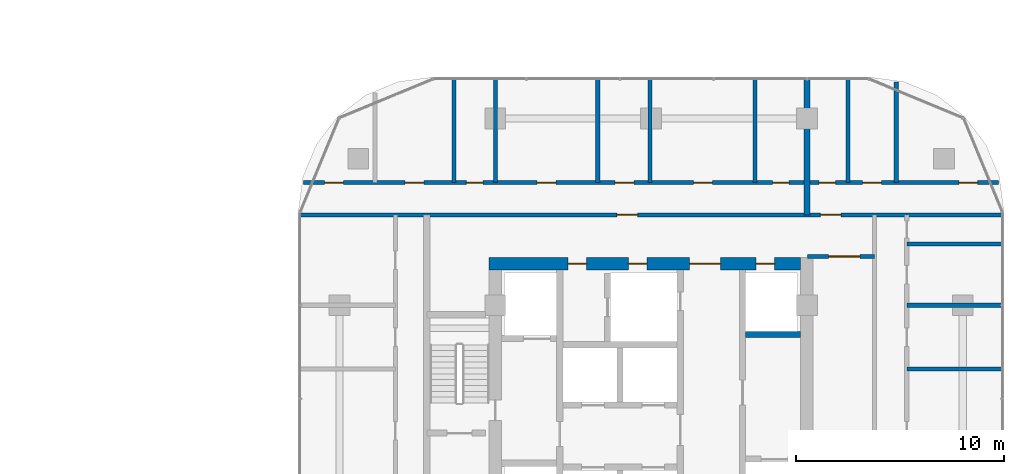
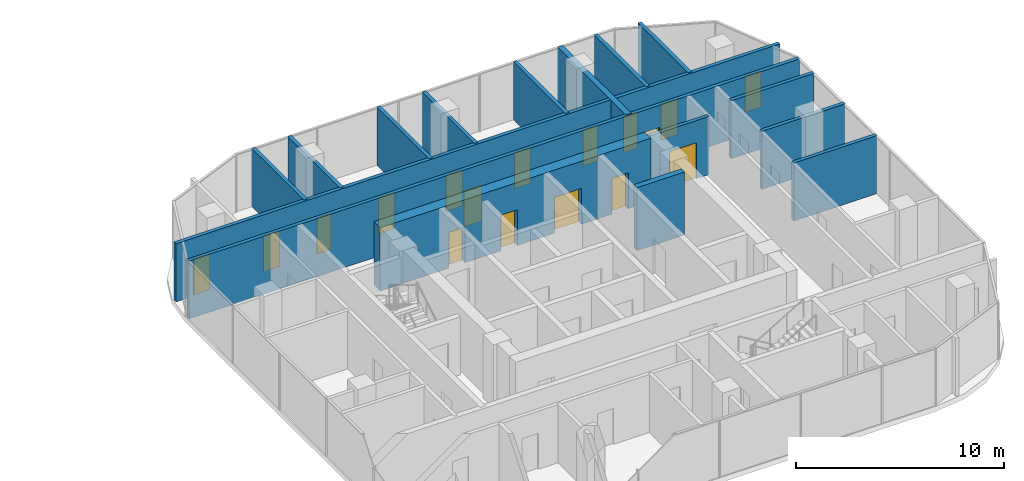
# One storey, part 23 of 32: 17 doors, 16 walls, 17 openings.
"""IFC4 building model written with IfcOpenShell, lengths in metres."""

import ifcopenshell
import ifcopenshell.guid

model = None  # the IFC model being written
_history = None  # IfcOwnerHistory: only IFC2X3 demands one
_inside = {}  # id of a spatial element -> (the spatial element, [elements in it])
_under = {}  # id of a project, library or spatial element -> (it, [spatial elements below it])
_declared = {}  # id of a project -> (the project, [libraries it declares])
_typed = {}  # id of a type object -> (the type object, [elements of that type])
_made_of = {}  # id of a material, layer set ... -> (it, [elements and type objects made of it])


def new_model(schema):
    """Start an empty IFC model of exactly this schema.

    Asked for "IFC4X3", IfcOpenShell would pick the latest addendum, in which some entities
    have other attributes; the version numbers below select the first issue.
    IFC2X3 requires an IfcOwnerHistory on every rooted entity: one is made here for all.
    """
    global model, _history
    if schema == "IFC4X3":
        model = ifcopenshell.file(schema_version=(4, 3, 0, 0))
    else:
        model = ifcopenshell.file(schema=schema)
    _inside.clear()
    _under.clear()
    _declared.clear()
    _typed.clear()
    _made_of.clear()
    _history = None
    if model.schema == "IFC2X3":
        org = make("IfcOrganization", Name="unknown")
        user = make(
            "IfcPersonAndOrganization",
            ThePerson=make("IfcPerson", FamilyName="unknown"),
            TheOrganization=org,
        )
        app = make(
            "IfcApplication",
            ApplicationDeveloper=org,
            Version="unknown",
            ApplicationFullName="unknown",
            ApplicationIdentifier="unknown",
        )
        _history = make(
            "IfcOwnerHistory",
            OwningUser=user,
            OwningApplication=app,
            ChangeAction="ADDED",
            CreationDate=0,
        )
    return model


def make(cls, **values):
    """One entity of the class cls with the attributes given. An attribute that is None is left unset."""
    return model.create_entity(
        cls, **{name: value for name, value in values.items() if value is not None}
    )


def rooted(cls, **values):
    """An entity with a GlobalId (a new one), such as an element, a storey or a relation."""
    return make(cls, GlobalId=ifcopenshell.guid.new(), OwnerHistory=_history, **values)


def si_unit(unit_type, name, prefix=None):
    """IfcSIUnit, for example si_unit("LENGTHUNIT", "METRE", prefix="MILLI")."""
    return make("IfcSIUnit", UnitType=unit_type, Prefix=prefix, Name=name)


def assignment(units):
    """IfcUnitAssignment: the units of a project."""
    return None if units is None else make("IfcUnitAssignment", Units=units)


def point(xyz):
    """IfcCartesianPoint."""
    return None if xyz is None else make("IfcCartesianPoint", Coordinates=xyz)


def direction(xyz):
    """IfcDirection."""
    return None if xyz is None else make("IfcDirection", DirectionRatios=xyz)


def frame(location, z_axis=None, x_axis=None):
    """IfcAxis2Placement3D, a coordinate frame: its origin and axes. An axis left out is left unset."""
    return make(
        "IfcAxis2Placement3D",
        Location=point(location),
        Axis=direction(z_axis),
        RefDirection=direction(x_axis),
    )


def frame_2d(location, x_axis=None):
    """IfcAxis2Placement2D, a coordinate frame in the plane: its origin and x axis."""
    return make(
        "IfcAxis2Placement2D", Location=point(location), RefDirection=direction(x_axis)
    )


def origin():
    """The frame at (0, 0, 0) with its axes left unset."""
    return frame((0.0, 0.0, 0.0))


def place(relative_to, where):
    """IfcLocalPlacement: puts the frame where relative to a parent placement (None: the world)."""
    return make(
        "IfcLocalPlacement", PlacementRelTo=relative_to, RelativePlacement=where
    )


def context(
    kind, dimensions, precision=None, world=None, true_north=None, identifier=None
):
    """IfcGeometricRepresentationContext, for example the 3D "Model" context."""
    return make(
        "IfcGeometricRepresentationContext",
        ContextIdentifier=identifier,
        ContextType=kind,
        CoordinateSpaceDimension=dimensions,
        Precision=precision,
        WorldCoordinateSystem=world,
        TrueNorth=true_north,
    )


def subcontext(parent, identifier, kind, view, scale=None):
    """IfcGeometricRepresentationSubContext, for example "Body" below "Model"."""
    return make(
        "IfcGeometricRepresentationSubContext",
        ContextIdentifier=identifier,
        ContextType=kind,
        ParentContext=parent,
        TargetScale=scale,
        TargetView=view,
    )


def project(units=None, contexts=None):
    """IfcProject with its units and contexts."""
    return rooted(
        "IfcProject",
        Name="project",
        RepresentationContexts=contexts,
        UnitsInContext=assignment(units),
    )


def spatial(cls, under=None, at=None, **own):
    """A site, building, storey or space (cls), placed at a placement, below another one or the project."""
    s = rooted(cls, ObjectPlacement=at, **own)
    if under is not None:
        _under.setdefault(under.id(), (under, []))[1].append(s)
    return s


def profile(cls, at=None, kind="AREA", **sizes):
    """A parametric profile (cls). Its sizes go by their IFC names, for example OverallWidth=200.0."""
    return make(cls, ProfileType=kind, Position=at, **sizes)


def rectangle(**sizes):
    """IfcRectangleProfileDef."""
    return profile("IfcRectangleProfileDef", **sizes)


def extrude(swept, where, along, depth):
    """IfcExtrudedAreaSolid: the profile swept, set in the frame where, extruded along a direction by depth."""
    return make(
        "IfcExtrudedAreaSolid",
        SweptArea=swept,
        Position=where,
        ExtrudedDirection=direction(along),
        Depth=depth,
    )


def shape(context_of_items, identifier, shape_type, items):
    """IfcShapeRepresentation: the items that make up one representation, for example the "Body"."""
    return make(
        "IfcShapeRepresentation",
        ContextOfItems=context_of_items,
        RepresentationIdentifier=identifier,
        RepresentationType=shape_type,
        Items=items,
    )


def material(Name=None, Category=None):
    """IfcMaterial."""
    return make("IfcMaterial", Name=Name, Category=Category)


def layer(
    of_material, thickness, ventilated=None, Name=None, Category=None, Priority=None
):
    """IfcMaterialLayer: one layer of a wall or slab, of a material (None: an air gap)."""
    return make(
        "IfcMaterialLayer",
        Material=of_material,
        LayerThickness=thickness,
        IsVentilated=ventilated,
        Name=Name,
        Category=Category,
        Priority=Priority,
    )


def layer_set(layers, Name=None):
    """IfcMaterialLayerSet."""
    return make("IfcMaterialLayerSet", MaterialLayers=layers, LayerSetName=Name)


def made_of(thing, what):
    """Note that an element or type object is made of a material, layer set ...; save() writes the relation."""
    if what is not None:
        _made_of.setdefault(what.id(), (what, []))[1].append(thing)
    return thing


def type_object(cls, material=None, **own):
    """A type object (cls), such as IfcWallType, which elements share."""
    return made_of(rooted(cls, **own), material)


def element(
    cls,
    number,
    at=None,
    inside=None,
    cuts=None,
    type_object=None,
    material=None,
    context=None,
    identifier="Body",
    shape_type=None,
    held_by="IfcProductDefinitionShape",
    body=None,
    shapes=None,
    **own,
):
    """One element of the class cls, such as IfcWall. Its Tag is "e" and its number.

    at: its placement. inside: the storey or other place that contains it. cuts: it is an
    opening in that element (IfcRelVoidsElement). A single representation is given by context,
    identifier, shape_type and body (its items); several are given by shapes. held_by: the class
    of the entity that holds the representations. save() writes the other relations.
    """
    e = rooted(cls, Tag="e%d" % number, ObjectPlacement=at, **own)
    if body is not None:
        shapes = [shape(context, identifier, shape_type, body)]
    if shapes is not None:
        e.Representation = make(held_by, Representations=shapes)
    if inside is not None:
        _inside.setdefault(inside.id(), (inside, []))[1].append(e)
    if cuts is not None:
        rooted(
            "IfcRelVoidsElement", RelatingBuildingElement=cuts, RelatedOpeningElement=e
        )
    if type_object is not None:
        _typed.setdefault(type_object.id(), (type_object, []))[1].append(e)
    return made_of(e, material)


def fill(opening, filler):
    """IfcRelFillsElement: the door or window that sits in an opening."""
    return rooted(
        "IfcRelFillsElement",
        RelatingOpeningElement=opening,
        RelatedBuildingElement=filler,
    )


def aggregate(whole, parts):
    """IfcRelAggregates: a whole, such as a stair, and the parts it consists of."""
    return rooted("IfcRelAggregates", RelatingObject=whole, RelatedObjects=parts)


def save(model, path):
    """Write the relations noted so far, then the file.

    IfcRelAggregates (storeys below a building ...), IfcRelContainedInSpatialStructure (elements
    in a storey), IfcRelDefinesByType, IfcRelAssociatesMaterial and IfcRelDeclares: one each for
    every whole, place, type object, material and project.
    """
    for whole, parts in _under.values():
        aggregate(whole, parts)
    for where, things in _inside.values():
        rooted(
            "IfcRelContainedInSpatialStructure",
            RelatedElements=things,
            RelatingStructure=where,
        )
    for kind, things in _typed.values():
        rooted("IfcRelDefinesByType", RelatedObjects=things, RelatingType=kind)
    for what, things in _made_of.values():
        rooted("IfcRelAssociatesMaterial", RelatedObjects=things, RelatingMaterial=what)
    for by, libraries in _declared.values():
        rooted("IfcRelDeclares", RelatingContext=by, RelatedDefinitions=libraries)
    model.write(path)


model = new_model("IFC4")

# Units and contexts
model_context = context("Model", 3, precision=1e-05, world=origin(), true_north=direction((0.0, 1.0)))
body_context = subcontext(model_context, "Body", "Model", "MODEL_VIEW")
ifc_project = project(units=[si_unit("LENGTHUNIT", "METRE"), si_unit("AREAUNIT", "SQUARE_METRE"), si_unit("VOLUMEUNIT", "CUBIC_METRE"), si_unit("PLANEANGLEUNIT", "RADIAN"), si_unit("MASSUNIT", "GRAM", prefix="KILO")], contexts=[model_context])

# Site, building, storey
site_placement = place(None, origin())
site = spatial("IfcSite", under=ifc_project, at=site_placement, CompositionType="ELEMENT")
building_placement = place(site_placement, origin())
building = spatial("IfcBuilding", under=site, at=building_placement, Name="Ogive Portal Towers", CompositionType="ELEMENT")
storey_placement = place(building_placement, frame((0.0, 0.0, 55.699951171875)))
storey = spatial("IfcBuildingStorey", under=building, at=storey_placement, Name="L12", CompositionType="ELEMENT", Elevation=55.699951171875)

# Wall
ifc_material_1 = material(Name="Concrete C60/75", Category="concrete")
ifc_layer_1 = layer(ifc_material_1, 0.300048828125)
ifc_layer_set_1 = layer_set([ifc_layer_1], Name="CORE WALL 300 C60")
wall_type_1 = type_object("IfcWallType", Name="CORE WALL 300 C60", PredefinedType="SHEAR", material=ifc_layer_set_1)
wall_1_placement = place(storey_placement, frame((141.050048828125, 34.10009765625, 0.0), z_axis=(0.0, 0.0, 1.0), x_axis=(1.0, 0.0, 0.0)))
element("IfcWall", 1, at=wall_1_placement, inside=storey, type_object=wall_type_1, Name="Tower B core wall BY7 L12", PredefinedType="SHEAR", context=body_context, shape_type="SweptSolid", body=[
    extrude(rectangle(XDim=2.64990234375, YDim=0.300048828125, at=frame_2d((1.324951171875, 0.0))), origin(), (0.0, 0.0, 1.0), 3.699951171875),
])

# Wall, openings, doors
ifc_layer_2 = layer(ifc_material_1, 0.60009765625)
ifc_layer_set_2 = layer_set([ifc_layer_2], Name="CORE WALL 600 C60")
wall_type_2 = type_object("IfcWallType", Name="CORE WALL 600 C60", PredefinedType="SHEAR", material=ifc_layer_set_2)
wall_2_placement = place(storey_placement, frame((128.699951171875, 37.5, 0.0), z_axis=(0.0, 0.0, 1.0), x_axis=(1.0, 0.0, 0.0)))
wall_2 = element("IfcWall", 2, at=wall_2_placement, inside=storey, type_object=wall_type_2, Name="Tower B core wall BN L12", PredefinedType="SHEAR", context=body_context, shape_type="SweptSolid", body=[
    extrude(rectangle(XDim=15.0, YDim=0.60009765625, at=frame_2d((7.5, 0.0))), origin(), (0.0, 0.0, 1.0), 3.699951171875),
])
opening_1_placement = place(wall_2_placement, frame((9.64990234375, 0.0, 0.0)))
opening_1 = element("IfcOpeningElement", 3, at=opening_1_placement, cuts=wall_2, Name="Opening B03-045", PredefinedType="OPENING", context=body_context, shape_type="SweptSolid", body=[
    extrude(rectangle(XDim=1.5, YDim=2.10009765625, at=frame_2d((0.75, 1.050048828125))), frame((0.0, 0.31005859375, 0.0), z_axis=(0.0, -1.0, 0.0), x_axis=(1.0, 0.0, 0.0)), (0.0, 0.0, 1.0), 0.6201171875),
])
opening_2_placement = place(wall_2_placement, frame((12.85009765625, 0.0, 0.0)))
opening_2 = element("IfcOpeningElement", 4, at=opening_2_placement, cuts=wall_2, Name="Opening B03-047", PredefinedType="OPENING", context=body_context, shape_type="SweptSolid", body=[
    extrude(rectangle(XDim=0.89990234375, YDim=2.10009765625, at=frame_2d((0.449951171875, 1.050048828125))), frame((0.0, 0.31005859375, 0.0), z_axis=(0.0, -1.0, 0.0), x_axis=(1.0, 0.0, 0.0)), (0.0, 0.0, 1.0), 0.6201171875),
])
opening_3_placement = place(wall_2_placement, frame((3.800048828125, 0.0, 0.0)))
opening_3 = element("IfcOpeningElement", 5, at=opening_3_placement, cuts=wall_2, Name="Opening B03-054", PredefinedType="OPENING", context=body_context, shape_type="SweptSolid", body=[
    extrude(rectangle(XDim=0.89990234375, YDim=2.10009765625, at=frame_2d((0.449951171875, 1.050048828125))), frame((0.0, 0.31005859375, 0.0), z_axis=(0.0, -1.0, 0.0), x_axis=(1.0, 0.0, 0.0)), (0.0, 0.0, 1.0), 0.6201171875),
])
opening_4_placement = place(wall_2_placement, frame((6.699951171875, 0.0, 0.0)))
opening_4 = element("IfcOpeningElement", 6, at=opening_4_placement, cuts=wall_2, Name="Opening B03-055", PredefinedType="OPENING", context=body_context, shape_type="SweptSolid", body=[
    extrude(rectangle(XDim=0.89990234375, YDim=2.10009765625, at=frame_2d((0.449951171875, 1.050048828125))), frame((0.0, 0.31005859375, 0.0), z_axis=(0.0, -1.0, 0.0), x_axis=(1.0, 0.0, 0.0)), (0.0, 0.0, 1.0), 0.6201171875),
])
ifc_material_2 = material(Name="Steel fire door", Category="steel")
door_type_1 = type_object("IfcDoorType", Name="DT-SWING-1500x2100-FD90S", OperationType="SINGLE_SWING_LEFT", PredefinedType="DOOR", material=ifc_material_2)
door_1_placement = place(opening_1_placement, origin())
door_1 = element("IfcDoor", 7, at=door_1_placement, inside=storey, type_object=door_type_1, Name="Door B03-045", OperationType="SINGLE_SWING_RIGHT", OverallHeight=2.10009765625, OverallWidth=1.5, PredefinedType="DOOR", context=body_context, shape_type="SweptSolid", body=[
    extrude(rectangle(XDim=1.5, YDim=2.10009765625, at=frame_2d((0.75, 1.050048828125))), frame((0.0, 0.02490234375, 0.0), z_axis=(0.0, -1.0, 0.0), x_axis=(1.0, 0.0, 0.0)), (0.0, 0.0, 1.0), 0.050048828125),
])
fill(opening_1, door_1)
door_type_2 = type_object("IfcDoorType", Name="DT-SWING-900x2100-FD90S", OperationType="SINGLE_SWING_LEFT", PredefinedType="DOOR", material=ifc_material_2)
door_2_placement = place(opening_2_placement, origin())
door_2 = element("IfcDoor", 8, at=door_2_placement, inside=storey, type_object=door_type_2, Name="Riser access door B03-047", OperationType="SINGLE_SWING_RIGHT", OverallHeight=2.10009765625, OverallWidth=0.89990234375, PredefinedType="DOOR", context=body_context, shape_type="SweptSolid", body=[
    extrude(rectangle(XDim=0.89990234375, YDim=2.10009765625, at=frame_2d((0.449951171875, 1.050048828125))), frame((0.0, 0.02490234375, 0.0), z_axis=(0.0, -1.0, 0.0), x_axis=(1.0, 0.0, 0.0)), (0.0, 0.0, 1.0), 0.050048828125),
])
fill(opening_2, door_2)
door_3_placement = place(opening_3_placement, origin())
door_3 = element("IfcDoor", 9, at=door_3_placement, inside=storey, type_object=door_type_2, Name="Door B03-054", OperationType="SINGLE_SWING_LEFT", OverallHeight=2.10009765625, OverallWidth=0.89990234375, PredefinedType="DOOR", context=body_context, shape_type="SweptSolid", body=[
    extrude(rectangle(XDim=0.89990234375, YDim=2.10009765625, at=frame_2d((0.449951171875, 1.050048828125))), frame((0.0, 0.02490234375, 0.0), z_axis=(0.0, -1.0, 0.0), x_axis=(1.0, 0.0, 0.0)), (0.0, 0.0, 1.0), 0.050048828125),
])
fill(opening_3, door_3)
door_4_placement = place(opening_4_placement, origin())
door_4 = element("IfcDoor", 10, at=door_4_placement, inside=storey, type_object=door_type_2, Name="Riser access door B03-055", OperationType="SINGLE_SWING_RIGHT", OverallHeight=2.10009765625, OverallWidth=0.89990234375, PredefinedType="DOOR", context=body_context, shape_type="SweptSolid", body=[
    extrude(rectangle(XDim=0.89990234375, YDim=2.10009765625, at=frame_2d((0.449951171875, 1.050048828125))), frame((0.0, 0.02490234375, 0.0), z_axis=(0.0, -1.0, 0.0), x_axis=(1.0, 0.0, 0.0)), (0.0, 0.0, 1.0), 0.050048828125),
])
fill(opening_4, door_4)

# Walls
ifc_material_3 = material(Name="Gypsum board partition on steel studs", Category="steel")
ifc_layer_3 = layer(ifc_material_3, 0.199951171875)
ifc_layer_set_3 = layer_set([ifc_layer_3], Name="WT-PART-200-EI 60")
wall_type_3 = type_object("IfcWallType", Name="WT-PART-200-EI 60", PredefinedType="PARTITIONING", material=ifc_layer_set_3)
for number, where, z_axis, x_axis, name in (
    (11, (148.81005859375, 32.43310546875, 0.0), (0.0, 0.0, 1.0), (1.0, 0.0, 0.0), "Wall L12:w012"),
    (12, (148.81005859375, 35.5, 0.0), (0.0, 0.0, 1.0), (1.0, 0.0, 0.0), "Wall L12:w015"),
):
    element("IfcWall", number, at=place(storey_placement, frame(where, z_axis=z_axis, x_axis=x_axis)), inside=storey, type_object=wall_type_3, Name=name, PredefinedType="PARTITIONING", context=body_context, shape_type="SweptSolid", body=[
        extrude(rectangle(XDim=4.60986328125, YDim=0.199951171875, at=frame_2d((2.304931640625, 0.0))), origin(), (0.0, 0.0, 1.0), 3.400146484375),
    ])

# Wall, opening, door
wall_3_placement = place(storey_placement, frame((144.02001953125, 37.85009765625, 0.0), z_axis=(0.0, 0.0, 1.0), x_axis=(1.0, 0.0, 0.0)))
wall_3 = element("IfcWall", 13, at=wall_3_placement, inside=storey, type_object=wall_type_3, Name="Wall L12:w017", PredefinedType="PARTITIONING", context=body_context, shape_type="SweptSolid", body=[
    extrude(rectangle(XDim=3.22998046875, YDim=0.199951171875, at=frame_2d((1.614990234375, 0.0))), origin(), (0.0, 0.0, 1.0), 3.400146484375),
])
opening_5_placement = place(wall_3_placement, frame((1.030029296875, 0.0, 0.0)))
opening_5 = element("IfcOpeningElement", 14, at=opening_5_placement, cuts=wall_3, Name="Opening B03-001", PredefinedType="OPENING", context=body_context, shape_type="SweptSolid", body=[
    extrude(rectangle(XDim=1.5, YDim=2.10009765625, at=frame_2d((0.75, 1.050048828125))), frame((0.0, 0.10986328125, 0.0), z_axis=(0.0, -1.0, 0.0), x_axis=(1.0, 0.0, 0.0)), (0.0, 0.0, 1.0), 0.219970703125),
])
door_type_3 = type_object("IfcDoorType", Name="DT-SWING-1500x2100-FD60S", OperationType="SINGLE_SWING_LEFT", PredefinedType="DOOR", material=ifc_material_2)
door_5_placement = place(opening_5_placement, origin())
door_5 = element("IfcDoor", 15, at=door_5_placement, inside=storey, type_object=door_type_3, Name="Door B03-001", OperationType="SINGLE_SWING_LEFT", OverallHeight=2.10009765625, OverallWidth=1.5, PredefinedType="DOOR", context=body_context, shape_type="SweptSolid", body=[
    extrude(rectangle(XDim=1.5, YDim=2.10009765625, at=frame_2d((0.75, 1.050048828125))), frame((0.0, 0.02490234375, 0.0), z_axis=(0.0, -1.0, 0.0), x_axis=(1.0, 0.0, 0.0)), (0.0, 0.0, 1.0), 0.050048828125),
])
fill(opening_5, door_5)

# Wall
wall_4_placement = place(storey_placement, frame((148.81005859375, 38.4560546875, 0.0), z_axis=(0.0, 0.0, 1.0), x_axis=(1.0, 0.0, 0.0)))
element("IfcWall", 16, at=wall_4_placement, inside=storey, type_object=wall_type_3, Name="Wall L12:w018", PredefinedType="PARTITIONING", context=body_context, shape_type="SweptSolid", body=[
    extrude(rectangle(XDim=4.60986328125, YDim=0.199951171875, at=frame_2d((2.304931640625, 0.0))), origin(), (0.0, 0.0, 1.0), 3.400146484375),
])

# Wall, openings, doors
wall_5_placement = place(storey_placement, frame((119.580078125, 39.85009765625, 0.0), z_axis=(0.0, 0.0, 1.0), x_axis=(1.0, 0.0, 0.0)))
wall_5 = element("IfcWall", 17, at=wall_5_placement, inside=storey, type_object=wall_type_3, Name="Wall L12:w019", PredefinedType="PARTITIONING", context=body_context, shape_type="SweptSolid", body=[
    extrude(rectangle(XDim=33.83984375, YDim=0.199951171875, at=frame_2d((16.919921875, 0.0))), origin(), (0.0, 0.0, 1.0), 3.400146484375),
])
opening_6_placement = place(wall_5_placement, frame((15.27001953125, 0.0, 0.0)))
opening_6 = element("IfcOpeningElement", 18, at=opening_6_placement, cuts=wall_5, Name="Opening B03-005", PredefinedType="OPENING", context=body_context, shape_type="SweptSolid", body=[
    extrude(rectangle(XDim=1.0, YDim=2.10009765625, at=frame_2d((0.5, 1.050048828125))), frame((0.0, 0.10986328125, 0.0), z_axis=(0.0, -1.0, 0.0), x_axis=(1.0, 0.0, 0.0)), (0.0, 0.0, 1.0), 0.219970703125),
])
opening_7_placement = place(wall_5_placement, frame((25.070068359375, 0.0, 0.0)))
opening_7 = element("IfcOpeningElement", 19, at=opening_7_placement, cuts=wall_5, Name="Opening B03-013", PredefinedType="OPENING", context=body_context, shape_type="SweptSolid", body=[
    extrude(rectangle(XDim=1.0, YDim=2.10009765625, at=frame_2d((0.5, 1.050048828125))), frame((0.0, 0.10986328125, 0.0), z_axis=(0.0, -1.0, 0.0), x_axis=(1.0, 0.0, 0.0)), (0.0, 0.0, 1.0), 0.219970703125),
])
door_type_4 = type_object("IfcDoorType", Name="DT-SWING-1000x2100-FD60S", OperationType="SINGLE_SWING_LEFT", PredefinedType="DOOR", material=ifc_material_2)
door_6_placement = place(opening_6_placement, origin())
door_6 = element("IfcDoor", 20, at=door_6_placement, inside=storey, type_object=door_type_4, Name="Door B03-005", OperationType="SINGLE_SWING_LEFT", OverallHeight=2.10009765625, OverallWidth=1.0, PredefinedType="DOOR", context=body_context, shape_type="SweptSolid", body=[
    extrude(rectangle(XDim=1.0, YDim=2.10009765625, at=frame_2d((0.5, 1.050048828125))), frame((0.0, 0.02490234375, 0.0), z_axis=(0.0, -1.0, 0.0), x_axis=(1.0, 0.0, 0.0)), (0.0, 0.0, 1.0), 0.050048828125),
])
fill(opening_6, door_6)
door_7_placement = place(opening_7_placement, origin())
door_7 = element("IfcDoor", 21, at=door_7_placement, inside=storey, type_object=door_type_4, Name="Door B03-013", OperationType="SINGLE_SWING_LEFT", OverallHeight=2.10009765625, OverallWidth=1.0, PredefinedType="DOOR", context=body_context, shape_type="SweptSolid", body=[
    extrude(rectangle(XDim=1.0, YDim=2.10009765625, at=frame_2d((0.5, 1.050048828125))), frame((0.0, 0.02490234375, 0.0), z_axis=(0.0, -1.0, 0.0), x_axis=(1.0, 0.0, 0.0)), (0.0, 0.0, 1.0), 0.050048828125),
])
fill(opening_7, door_7)

wall_6_placement = place(storey_placement, frame((119.76611328125, 41.409912109375, 0.0), z_axis=(0.0, 0.0, 1.0), x_axis=(1.0, 0.0, 0.0)))
wall_6 = element("IfcWall", 22, at=wall_6_placement, inside=storey, type_object=wall_type_3, Name="Wall L12:w020", PredefinedType="PARTITIONING", context=body_context, shape_type="SweptSolid", body=[
    extrude(rectangle(XDim=33.4677734375, YDim=0.199951171875, at=frame_2d((16.73388671875, 0.0))), origin(), (0.0, 0.0, 1.0), 3.400146484375),
])
opening_8_placement = place(wall_6_placement, frame((1.01708984375, 0.0, 0.0)))
opening_8 = element("IfcOpeningElement", 23, at=opening_8_placement, cuts=wall_6, Name="Opening B03-006", PredefinedType="OPENING", context=body_context, shape_type="SweptSolid", body=[
    extrude(rectangle(XDim=0.89990234375, YDim=2.10009765625, at=frame_2d((0.449951171875, 1.050048828125))), frame((0.0, 0.10986328125, 0.0), z_axis=(0.0, -1.0, 0.0), x_axis=(1.0, 0.0, 0.0)), (0.0, 0.0, 1.0), 0.219970703125),
])
opening_9_placement = place(wall_6_placement, frame((4.887939453125, 0.0, 0.0)))
opening_9 = element("IfcOpeningElement", 24, at=opening_9_placement, cuts=wall_6, Name="Opening B03-007", PredefinedType="OPENING", context=body_context, shape_type="SweptSolid", body=[
    extrude(rectangle(XDim=0.89990234375, YDim=2.10009765625, at=frame_2d((0.449951171875, 1.050048828125))), frame((0.0, 0.10986328125, 0.0), z_axis=(0.0, -1.0, 0.0), x_axis=(1.0, 0.0, 0.0)), (0.0, 0.0, 1.0), 0.219970703125),
])
opening_10_placement = place(wall_6_placement, frame((7.8349609375, 0.0, 0.0)))
opening_10 = element("IfcOpeningElement", 25, at=opening_10_placement, cuts=wall_6, Name="Opening B03-008", PredefinedType="OPENING", context=body_context, shape_type="SweptSolid", body=[
    extrude(rectangle(XDim=0.800048828125, YDim=2.10009765625, at=frame_2d((0.39990234375, 1.050048828125))), frame((0.0, 0.10986328125, 0.0), z_axis=(0.0, -1.0, 0.0), x_axis=(1.0, 0.0, 0.0)), (0.0, 0.0, 1.0), 0.219970703125),
])
opening_11_placement = place(wall_6_placement, frame((11.2509765625, 0.0, 0.0)))
opening_11 = element("IfcOpeningElement", 26, at=opening_11_placement, cuts=wall_6, Name="Opening B03-009", PredefinedType="OPENING", context=body_context, shape_type="SweptSolid", body=[
    extrude(rectangle(XDim=0.89990234375, YDim=2.10009765625, at=frame_2d((0.449951171875, 1.050048828125))), frame((0.0, 0.10986328125, 0.0), z_axis=(0.0, -1.0, 0.0), x_axis=(1.0, 0.0, 0.0)), (0.0, 0.0, 1.0), 0.219970703125),
])
opening_12_placement = place(wall_6_placement, frame((15.0009765625, 0.0, 0.0)))
opening_12 = element("IfcOpeningElement", 27, at=opening_12_placement, cuts=wall_6, Name="Opening B03-010", PredefinedType="OPENING", context=body_context, shape_type="SweptSolid", body=[
    extrude(rectangle(XDim=0.89990234375, YDim=2.10009765625, at=frame_2d((0.449951171875, 1.050048828125))), frame((0.0, 0.10986328125, 0.0), z_axis=(0.0, -1.0, 0.0), x_axis=(1.0, 0.0, 0.0)), (0.0, 0.0, 1.0), 0.219970703125),
])
opening_13_placement = place(wall_6_placement, frame((18.782958984375, 0.0, 0.0)))
opening_13 = element("IfcOpeningElement", 28, at=opening_13_placement, cuts=wall_6, Name="Opening B03-011", PredefinedType="OPENING", context=body_context, shape_type="SweptSolid", body=[
    extrude(rectangle(XDim=0.89990234375, YDim=2.10009765625, at=frame_2d((0.449951171875, 1.050048828125))), frame((0.0, 0.10986328125, 0.0), z_axis=(0.0, -1.0, 0.0), x_axis=(1.0, 0.0, 0.0)), (0.0, 0.0, 1.0), 0.219970703125),
])
opening_14_placement = place(wall_6_placement, frame((22.5830078125, 0.0, 0.0)))
opening_14 = element("IfcOpeningElement", 29, at=opening_14_placement, cuts=wall_6, Name="Opening B03-012", PredefinedType="OPENING", context=body_context, shape_type="SweptSolid", body=[
    extrude(rectangle(XDim=0.800048828125, YDim=2.10009765625, at=frame_2d((0.39990234375, 1.050048828125))), frame((0.0, 0.10986328125, 0.0), z_axis=(0.0, -1.0, 0.0), x_axis=(1.0, 0.0, 0.0)), (0.0, 0.0, 1.0), 0.219970703125),
])
opening_15_placement = place(wall_6_placement, frame((24.821044921875, 0.0, 0.0)))
opening_15 = element("IfcOpeningElement", 30, at=opening_15_placement, cuts=wall_6, Name="Opening B03-014", PredefinedType="OPENING", context=body_context, shape_type="SweptSolid", body=[
    extrude(rectangle(XDim=0.800048828125, YDim=2.10009765625, at=frame_2d((0.39990234375, 1.050048828125))), frame((0.0, 0.10986328125, 0.0), z_axis=(0.0, -1.0, 0.0), x_axis=(1.0, 0.0, 0.0)), (0.0, 0.0, 1.0), 0.219970703125),
])
opening_16_placement = place(wall_6_placement, frame((26.923095703125, 0.0, 0.0)))
opening_16 = element("IfcOpeningElement", 31, at=opening_16_placement, cuts=wall_6, Name="Opening B03-015", PredefinedType="OPENING", context=body_context, shape_type="SweptSolid", body=[
    extrude(rectangle(XDim=0.89990234375, YDim=2.10009765625, at=frame_2d((0.449951171875, 1.050048828125))), frame((0.0, 0.10986328125, 0.0), z_axis=(0.0, -1.0, 0.0), x_axis=(1.0, 0.0, 0.0)), (0.0, 0.0, 1.0), 0.219970703125),
])
opening_17_placement = place(wall_6_placement, frame((31.555908203125, 0.0, 0.0)))
opening_17 = element("IfcOpeningElement", 32, at=opening_17_placement, cuts=wall_6, Name="Opening B03-016", PredefinedType="OPENING", context=body_context, shape_type="SweptSolid", body=[
    extrude(rectangle(XDim=0.89990234375, YDim=2.10009765625, at=frame_2d((0.449951171875, 1.050048828125))), frame((0.0, 0.10986328125, 0.0), z_axis=(0.0, -1.0, 0.0), x_axis=(1.0, 0.0, 0.0)), (0.0, 0.0, 1.0), 0.219970703125),
])
door_type_5 = type_object("IfcDoorType", Name="DT-SWING-800x2100-FD60S", OperationType="SINGLE_SWING_LEFT", PredefinedType="DOOR", material=ifc_material_2)
door_8_placement = place(opening_10_placement, origin())
door_8 = element("IfcDoor", 33, at=door_8_placement, inside=storey, type_object=door_type_5, Name="Door B03-008", OperationType="SINGLE_SWING_RIGHT", OverallHeight=2.10009765625, OverallWidth=0.800048828125, PredefinedType="DOOR", context=body_context, shape_type="SweptSolid", body=[
    extrude(rectangle(XDim=0.800048828125, YDim=2.10009765625, at=frame_2d((0.39990234375, 1.050048828125))), frame((0.0, 0.02490234375, 0.0), z_axis=(0.0, -1.0, 0.0), x_axis=(1.0, 0.0, 0.0)), (0.0, 0.0, 1.0), 0.050048828125),
])
fill(opening_10, door_8)
door_9_placement = place(opening_14_placement, origin())
door_9 = element("IfcDoor", 34, at=door_9_placement, inside=storey, type_object=door_type_5, Name="Door B03-012", OperationType="SINGLE_SWING_RIGHT", OverallHeight=2.10009765625, OverallWidth=0.800048828125, PredefinedType="DOOR", context=body_context, shape_type="SweptSolid", body=[
    extrude(rectangle(XDim=0.800048828125, YDim=2.10009765625, at=frame_2d((0.39990234375, 1.050048828125))), frame((0.0, 0.02490234375, 0.0), z_axis=(0.0, -1.0, 0.0), x_axis=(1.0, 0.0, 0.0)), (0.0, 0.0, 1.0), 0.050048828125),
])
fill(opening_14, door_9)
door_10_placement = place(opening_15_placement, origin())
door_10 = element("IfcDoor", 35, at=door_10_placement, inside=storey, type_object=door_type_5, Name="Door B03-014", OperationType="SINGLE_SWING_RIGHT", OverallHeight=2.10009765625, OverallWidth=0.800048828125, PredefinedType="DOOR", context=body_context, shape_type="SweptSolid", body=[
    extrude(rectangle(XDim=0.800048828125, YDim=2.10009765625, at=frame_2d((0.39990234375, 1.050048828125))), frame((0.0, 0.02490234375, 0.0), z_axis=(0.0, -1.0, 0.0), x_axis=(1.0, 0.0, 0.0)), (0.0, 0.0, 1.0), 0.050048828125),
])
fill(opening_15, door_10)
door_type_6 = type_object("IfcDoorType", Name="DT-SWING-900x2100-FD60S", OperationType="SINGLE_SWING_LEFT", PredefinedType="DOOR", material=ifc_material_2)
door_11_placement = place(opening_8_placement, origin())
door_11 = element("IfcDoor", 36, at=door_11_placement, inside=storey, type_object=door_type_6, Name="Door B03-006", OperationType="SINGLE_SWING_RIGHT", OverallHeight=2.10009765625, OverallWidth=0.89990234375, PredefinedType="DOOR", context=body_context, shape_type="SweptSolid", body=[
    extrude(rectangle(XDim=0.89990234375, YDim=2.10009765625, at=frame_2d((0.449951171875, 1.050048828125))), frame((0.0, 0.02490234375, 0.0), z_axis=(0.0, -1.0, 0.0), x_axis=(1.0, 0.0, 0.0)), (0.0, 0.0, 1.0), 0.050048828125),
])
fill(opening_8, door_11)
door_12_placement = place(opening_9_placement, origin())
door_12 = element("IfcDoor", 37, at=door_12_placement, inside=storey, type_object=door_type_6, Name="Door B03-007", OperationType="SINGLE_SWING_LEFT", OverallHeight=2.10009765625, OverallWidth=0.89990234375, PredefinedType="DOOR", context=body_context, shape_type="SweptSolid", body=[
    extrude(rectangle(XDim=0.89990234375, YDim=2.10009765625, at=frame_2d((0.449951171875, 1.050048828125))), frame((0.0, 0.02490234375, 0.0), z_axis=(0.0, -1.0, 0.0), x_axis=(1.0, 0.0, 0.0)), (0.0, 0.0, 1.0), 0.050048828125),
])
fill(opening_9, door_12)
door_13_placement = place(opening_11_placement, origin())
door_13 = element("IfcDoor", 38, at=door_13_placement, inside=storey, type_object=door_type_6, Name="Door B03-009", OperationType="SINGLE_SWING_LEFT", OverallHeight=2.10009765625, OverallWidth=0.89990234375, PredefinedType="DOOR", context=body_context, shape_type="SweptSolid", body=[
    extrude(rectangle(XDim=0.89990234375, YDim=2.10009765625, at=frame_2d((0.449951171875, 1.050048828125))), frame((0.0, 0.02490234375, 0.0), z_axis=(0.0, -1.0, 0.0), x_axis=(1.0, 0.0, 0.0)), (0.0, 0.0, 1.0), 0.050048828125),
])
fill(opening_11, door_13)
door_14_placement = place(opening_12_placement, origin())
door_14 = element("IfcDoor", 39, at=door_14_placement, inside=storey, type_object=door_type_6, Name="Door B03-010", OperationType="SINGLE_SWING_RIGHT", OverallHeight=2.10009765625, OverallWidth=0.89990234375, PredefinedType="DOOR", context=body_context, shape_type="SweptSolid", body=[
    extrude(rectangle(XDim=0.89990234375, YDim=2.10009765625, at=frame_2d((0.449951171875, 1.050048828125))), frame((0.0, 0.02490234375, 0.0), z_axis=(0.0, -1.0, 0.0), x_axis=(1.0, 0.0, 0.0)), (0.0, 0.0, 1.0), 0.050048828125),
])
fill(opening_12, door_14)
door_15_placement = place(opening_13_placement, origin())
door_15 = element("IfcDoor", 40, at=door_15_placement, inside=storey, type_object=door_type_6, Name="Door B03-011", OperationType="SINGLE_SWING_LEFT", OverallHeight=2.10009765625, OverallWidth=0.89990234375, PredefinedType="DOOR", context=body_context, shape_type="SweptSolid", body=[
    extrude(rectangle(XDim=0.89990234375, YDim=2.10009765625, at=frame_2d((0.449951171875, 1.050048828125))), frame((0.0, 0.02490234375, 0.0), z_axis=(0.0, -1.0, 0.0), x_axis=(1.0, 0.0, 0.0)), (0.0, 0.0, 1.0), 0.050048828125),
])
fill(opening_13, door_15)
door_16_placement = place(opening_16_placement, origin())
door_16 = element("IfcDoor", 41, at=door_16_placement, inside=storey, type_object=door_type_6, Name="Door B03-015", OperationType="SINGLE_SWING_LEFT", OverallHeight=2.10009765625, OverallWidth=0.89990234375, PredefinedType="DOOR", context=body_context, shape_type="SweptSolid", body=[
    extrude(rectangle(XDim=0.89990234375, YDim=2.10009765625, at=frame_2d((0.449951171875, 1.050048828125))), frame((0.0, 0.02490234375, 0.0), z_axis=(0.0, -1.0, 0.0), x_axis=(1.0, 0.0, 0.0)), (0.0, 0.0, 1.0), 0.050048828125),
])
fill(opening_16, door_16)
door_17_placement = place(opening_17_placement, origin())
door_17 = element("IfcDoor", 42, at=door_17_placement, inside=storey, type_object=door_type_6, Name="Door B03-016", OperationType="SINGLE_SWING_RIGHT", OverallHeight=2.10009765625, OverallWidth=0.89990234375, PredefinedType="DOOR", context=body_context, shape_type="SweptSolid", body=[
    extrude(rectangle(XDim=0.89990234375, YDim=2.10009765625, at=frame_2d((0.449951171875, 1.050048828125))), frame((0.0, 0.02490234375, 0.0), z_axis=(0.0, -1.0, 0.0), x_axis=(1.0, 0.0, 0.0)), (0.0, 0.0, 1.0), 0.050048828125),
])
fill(opening_17, door_17)

# Walls
for number, where, z_axis, x_axis, name in (
    (43, (127.001953125, 41.409912109375, 0.0), (0.0, 0.0, 1.0), (0.0, 1.0, 0.0), "Wall L12:w025"),
    (44, (129.0, 41.409912109375, 0.0), (0.0, 0.0, 1.0), (0.0, 1.0, 0.0), "Wall L12:w029"),
    (45, (133.93310546875, 41.409912109375, 0.0), (0.0, 0.0, 1.0), (0.0, 1.0, 0.0), "Wall L12:w030"),
    (46, (136.449951171875, 41.409912109375, 0.0), (0.0, 0.0, 1.0), (0.0, 1.0, 0.0), "Wall L12:w034"),
    (47, (141.4970703125, 41.409912109375, 0.0), (0.0, 0.0, 1.0), (0.0, 1.0, 0.0), "Wall L12:w036"),
    (48, (145.97412109375, 41.409912109375, 0.0), (0.0, 0.0, 1.0), (0.0, 1.0, 0.0), "Wall L12:w042"),
):
    element("IfcWall", number, at=place(storey_placement, frame(where, z_axis=z_axis, x_axis=x_axis)), inside=storey, type_object=wall_type_3, Name=name, PredefinedType="PARTITIONING", context=body_context, shape_type="SweptSolid", body=[
        extrude(rectangle(XDim=5.010009765625, YDim=0.199951171875, at=frame_2d((2.5048828125, 0.0))), origin(), (0.0, 0.0, 1.0), 3.400146484375),
    ])
wall_7_placement = place(storey_placement, frame((148.303955078125, 41.409912109375, 0.0), z_axis=(0.0, 0.0, 1.0), x_axis=(0.0, 1.0, 0.0)))
element("IfcWall", 49, at=wall_7_placement, inside=storey, type_object=wall_type_3, Name="Wall L12:w045", PredefinedType="PARTITIONING", context=body_context, shape_type="SweptSolid", body=[
    extrude(rectangle(XDim=4.838134765625, YDim=0.199951171875, at=frame_2d((2.4189453125, 0.0))), origin(), (0.0, 0.0, 1.0), 3.400146484375),
])
ifc_layer_4 = layer(ifc_material_3, 0.300048828125)
ifc_layer_set_4 = layer_set([ifc_layer_4], Name="WT-PART-300-EI 60")
wall_type_4 = type_object("IfcWallType", Name="WT-PART-300-EI 60", PredefinedType="PARTITIONING", material=ifc_layer_set_4)
wall_8_placement = place(storey_placement, frame((144.0, 39.85009765625, 0.0), z_axis=(0.0, 0.0, 1.0), x_axis=(0.0, 1.0, 0.0)))
element("IfcWall", 50, at=wall_8_placement, inside=storey, type_object=wall_type_4, Name="Wall L12:w038", PredefinedType="PARTITIONING", context=body_context, shape_type="SweptSolid", body=[
    extrude(rectangle(XDim=6.56982421875, YDim=0.300048828125, at=frame_2d((3.284912109375, 0.0))), origin(), (0.0, 0.0, 1.0), 3.400146484375),
])

save(model, "model.ifc")
